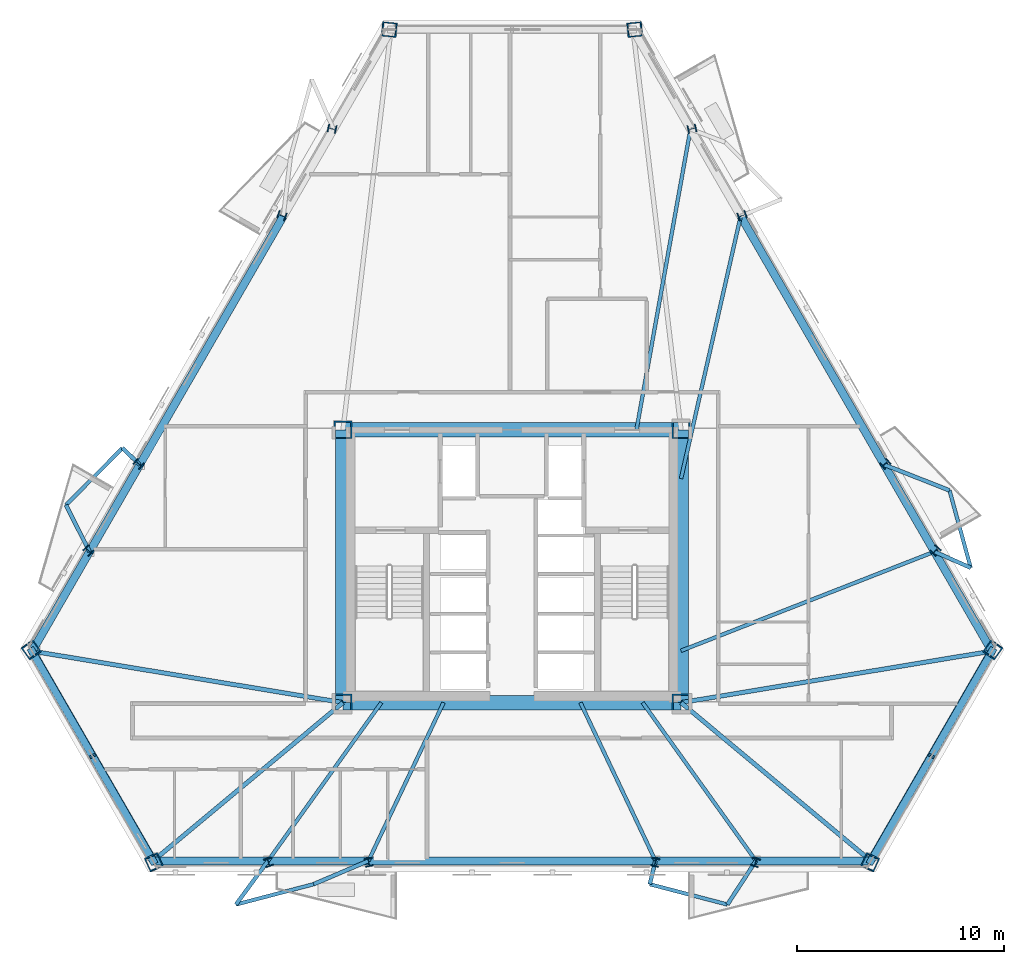
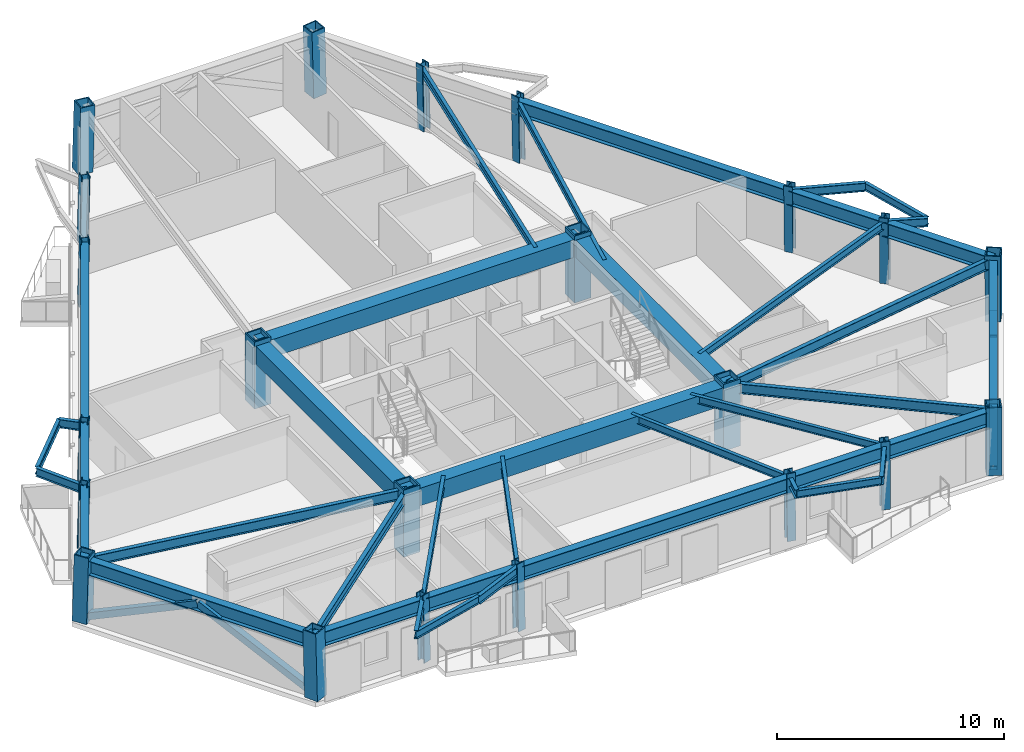
# One storey, part 1 of 10: 40 beams, 22 columns, 4 members.
"""IFC4 building model written with IfcOpenShell, lengths in metres."""

from ifc_helpers import new_model, si_unit, direction, frame, origin, origin_2d, place, context, subcontext, project, spatial, rectangle, hollow_rectangle, i_section, extrude, material, material_profile, profile_set, type_object, element, save


model = new_model("IFC4")

# Units and contexts
model_context = context("Model", 3, precision=1e-05, world=origin(), true_north=direction((0.0, 1.0)))
body_context = subcontext(model_context, "Body", "Model", "MODEL_VIEW")
ifc_project = project(units=[si_unit("LENGTHUNIT", "METRE"), si_unit("AREAUNIT", "SQUARE_METRE"), si_unit("VOLUMEUNIT", "CUBIC_METRE"), si_unit("PLANEANGLEUNIT", "RADIAN"), si_unit("MASSUNIT", "GRAM", prefix="KILO")], contexts=[model_context])

# Site, building, storey
site_placement = place(None, origin())
site = spatial("IfcSite", under=ifc_project, at=site_placement, CompositionType="ELEMENT")
building_placement = place(site_placement, origin())
building = spatial("IfcBuilding", under=site, at=building_placement, Name="Oramaril Tower", CompositionType="ELEMENT")
storey_placement = place(building_placement, frame((0.0, 0.0, 100.5)))
storey = spatial("IfcBuildingStorey", under=building, at=storey_placement, Name="L26", CompositionType="ELEMENT", Elevation=100.5)

# Columns
ifc_material_1 = material(Name="Steel ASTM A572 Gr 50", Category="steel")
ifc_material_profile_1 = material_profile(ifc_material_1, hollow_rectangle(XDim=0.85009765625, YDim=0.85009765625, WallThickness=0.070068359375, at=origin_2d()), Name="BOX850X850X70")
ifc_profile_set_1 = profile_set([ifc_material_profile_1], Name="Steel ASTM A572 Gr 50")
column_type_1 = type_object("IfcColumnType", Name="CT-CC3", PredefinedType="COLUMN", material=ifc_profile_set_1)
for number, where, z_axis, x_axis, name in (
    (1, (29.35009765625, 11.0, 0.0), (0.0, 0.0, 1.0), (1.0, 0.0, 0.0), "L26 Core Column CC-1"),
    (2, (45.64990234375, 11.0, 0.0), (0.0, 0.0, 1.0), (1.0, 0.0, 0.0), "L26 Core Column CC-2"),
    (3, (45.64990234375, 24.14990234375, 0.0), (0.0, 0.0, 1.0), (1.0, 0.0, 0.0), "L26 Core Column CC-3"),
    (4, (29.35009765625, 24.14990234375, 0.0), (0.0, 0.0, 1.0), (1.0, 0.0, 0.0), "L26 Core Column CC-4"),
):
    element("IfcColumn", number, at=place(storey_placement, frame(where, z_axis=z_axis, x_axis=x_axis)), inside=storey, type_object=column_type_1, Name=name, PredefinedType="COLUMN", context=body_context, shape_type="SweptSolid", body=[
        extrude(hollow_rectangle(XDim=0.85009765625, YDim=0.85009765625, WallThickness=0.070068359375, at=origin_2d()), origin(), (0.0, 0.0, 1.0), 3.60009765625),
    ])
ifc_material_2 = material(Name="Steel ASTM A572 Gr 50", Category="steel")
ifc_material_profile_2 = material_profile(ifc_material_2, hollow_rectangle(XDim=0.699951171875, YDim=0.699951171875, WallThickness=0.054931640625, at=origin_2d()), Name="BOX700X700X55")
ifc_profile_set_2 = profile_set([ifc_material_profile_2], Name="Steel ASTM A572 Gr 50")
column_type_2 = type_object("IfcColumnType", Name="CT-TC4", PredefinedType="COLUMN", material=ifc_profile_set_2)
for number, where, z_axis, x_axis, name in (
    (5, (14.309814453125, 13.560791015625, 0.00439453125), (0.015495232053, -0.021611771021, 0.999646352035), (0.812696104859, 0.582687773295, 0.0), "L26 Tube Column TC-01"),
    (6, (20.24169921875, 3.286376953125, 0.00439453125), (-0.010941819995, 0.024194334896, 0.999647393201), (-0.911153685681, -0.412066694929, 0.0), "L26 Tube Column TC-02"),
    (7, (54.75830078125, 3.286376953125, 0.00439453125), (0.010941819995, 0.024194334896, 0.999647393201), (-0.911153685681, 0.412066694929, 0.0), "L26 Tube Column TC-03"),
    (8, (60.690185546875, 13.560791015625, 0.00439453125), (-0.015495232053, -0.021611771021, 0.999646352035), (0.812696104859, -0.582687773295, 0.0), "L26 Tube Column TC-04"),
    (9, (43.431884765625, 43.452880859375, 0.00439453125), (-0.026437061593, -0.002582540721, 0.999647143875), (0.097223592457, -0.995262564889, 0.0), "L26 Tube Column TC-05"),
    (10, (31.568115234375, 43.452880859375, 0.00439453125), (0.026437061593, -0.002582540721, 0.999647143875), (0.097223592457, 0.995262564889, 0.0), "L26 Tube Column TC-06"),
):
    element("IfcColumn", number, at=place(storey_placement, frame(where, z_axis=z_axis, x_axis=x_axis)), inside=storey, type_object=column_type_2, Name=name, PredefinedType="COLUMN", context=body_context, shape_type="SweptSolid", body=[
        extrude(hollow_rectangle(XDim=0.699951171875, YDim=0.699951171875, WallThickness=0.054931640625, at=origin_2d()), origin(), (0.0, 0.0, 1.0), 3.59228515625),
    ])
ifc_material_3 = material(Name="Steel ASTM A572 Gr 50", Category="steel")
ifc_material_profile_3 = material_profile(ifc_material_3, i_section(OverallWidth=0.404052734375, OverallDepth=0.406005859375, WebThickness=0.027099609375, FlangeThickness=0.043701171875, at=origin_2d()), Name="W14X233")
ifc_profile_set_3 = profile_set([ifc_material_profile_3], Name="Steel ASTM A572 Gr 50")
column_type_3 = type_object("IfcColumnType", Name="CT-TF3", PredefinedType="COLUMN", material=ifc_profile_set_3)
column_1_placement = place(storey_placement, frame((25.764404296875, 3.286376953125, 0.00439453125), z_axis=(-0.00747601626, 0.024195107169, 0.999679301561), x_axis=(-0.955430171214, -0.295217187735, 0.0)))
element("IfcColumn", 11, at=column_1_placement, inside=storey, type_object=column_type_3, Name="L26 Tube Column TC-07", PredefinedType="COLUMN", context=body_context, shape_type="SweptSolid", body=[
    extrude(i_section(OverallWidth=0.404052734375, OverallDepth=0.406005859375, WebThickness=0.027099609375, FlangeThickness=0.043701171875, at=origin_2d()), origin(), (0.0, 0.0, 1.0), 3.59228515625),
])
for number, where, z_axis, x_axis, name in (
    (12, (30.5966796875, 3.286376953125, 0.00439453125), (-0.004417726321, 0.024195547233, 0.999697483836), (-0.983737000946, -0.179614901858, 0.0), "L26 Tube Column TC-08"),
    (13, (44.4033203125, 3.286376953125, 0.00439453125), (0.004417726321, 0.024195547233, 0.999697483836), (-0.983737000946, 0.179614901858, 0.0), "L26 Tube Column TC-09"),
):
    element("IfcColumn", number, at=place(storey_placement, frame(where, z_axis=z_axis, x_axis=x_axis)), inside=storey, type_object=column_type_3, Name=name, PredefinedType="COLUMN", context=body_context, shape_type="SweptSolid", body=[
        extrude(i_section(OverallWidth=0.404052734375, OverallDepth=0.406005859375, WebThickness=0.027099609375, FlangeThickness=0.043701171875, at=origin_2d()), origin(), (0.0, 0.0, 1.0), 3.592041015625),
    ])
for number, where, z_axis, x_axis, name in (
    (14, (49.235595703125, 3.286376953125, 0.00439453125), (0.00747601626, 0.024195107169, 0.999679301561), (-0.955430171214, 0.295217187735, 0.0), "L26 Tube Column TC-10"),
    (15, (57.928955078125, 18.343505859375, 0.00439453125), (-0.01726279285, -0.018554104126, 0.999678819023), (0.732124530996, -0.681170809059, 0.0), "L26 Tube Column TC-11"),
):
    element("IfcColumn", number, at=place(storey_placement, frame(where, z_axis=z_axis, x_axis=x_axis)), inside=storey, type_object=column_type_3, Name=name, PredefinedType="COLUMN", context=body_context, shape_type="SweptSolid", body=[
        extrude(i_section(OverallWidth=0.404052734375, OverallDepth=0.406005859375, WebThickness=0.027099609375, FlangeThickness=0.043701171875, at=origin_2d()), origin(), (0.0, 0.0, 1.0), 3.59228515625),
    ])
for number, where, z_axis, x_axis, name in (
    (16, (55.5126953125, 22.5283203125, 0.00439453125), (-0.018758346864, -0.015903815819, 0.999697550795), (0.646685251635, -0.762756963467, 0.0), "L26 Tube Column TC-12"),
    (17, (48.609375, 34.4853515625, 0.00439453125), (-0.023176047894, -0.00835968883, 0.999696447131), (0.339305503404, -0.940676233015, 0.0), "L26 Tube Column TC-13"),
):
    element("IfcColumn", number, at=place(storey_placement, frame(where, z_axis=z_axis, x_axis=x_axis)), inside=storey, type_object=column_type_3, Name=name, PredefinedType="COLUMN", context=body_context, shape_type="SweptSolid", body=[
        extrude(i_section(OverallWidth=0.404052734375, OverallDepth=0.406005859375, WebThickness=0.027099609375, FlangeThickness=0.043701171875, at=origin_2d()), origin(), (0.0, 0.0, 1.0), 3.592041015625),
    ])
for number, where, z_axis, x_axis, name in (
    (18, (46.193115234375, 38.670166015625, 0.00439453125), (-0.024670863801, -0.005640996406, 0.999679712527), (0.222897720207, -0.97484183657, 0.0), "L26 Tube Column TC-14"),
    (19, (28.806884765625, 38.670166015625, 0.00439453125), (0.024670863801, -0.005640996406, 0.999679712527), (0.222897720207, 0.97484183657, 0.0), "L26 Tube Column TC-15"),
):
    element("IfcColumn", number, at=place(storey_placement, frame(where, z_axis=z_axis, x_axis=x_axis)), inside=storey, type_object=column_type_3, Name=name, PredefinedType="COLUMN", context=body_context, shape_type="SweptSolid", body=[
        extrude(i_section(OverallWidth=0.404052734375, OverallDepth=0.406005859375, WebThickness=0.027099609375, FlangeThickness=0.043701171875, at=origin_2d()), origin(), (0.0, 0.0, 1.0), 3.59228515625),
    ])
for number, where, z_axis, x_axis, name in (
    (20, (26.390625, 34.4853515625, 0.00439453125), (0.023176047894, -0.00835968883, 0.999696447131), (0.339305503404, 0.940676233015, 0.0), "L26 Tube Column TC-16"),
    (21, (19.4873046875, 22.5283203125, 0.00439453125), (0.018758346864, -0.015903815819, 0.999697550795), (0.646685251635, 0.762756963467, 0.0), "L26 Tube Column TC-17"),
):
    element("IfcColumn", number, at=place(storey_placement, frame(where, z_axis=z_axis, x_axis=x_axis)), inside=storey, type_object=column_type_3, Name=name, PredefinedType="COLUMN", context=body_context, shape_type="SweptSolid", body=[
        extrude(i_section(OverallWidth=0.404052734375, OverallDepth=0.406005859375, WebThickness=0.027099609375, FlangeThickness=0.043701171875, at=origin_2d()), origin(), (0.0, 0.0, 1.0), 3.592041015625),
    ])
column_2_placement = place(storey_placement, frame((17.071044921875, 18.343505859375, 0.00439453125), z_axis=(0.01726279285, -0.018554104126, 0.999678819023), x_axis=(0.732124530996, 0.681170809059, 0.0)))
element("IfcColumn", 22, at=column_2_placement, inside=storey, type_object=column_type_3, Name="L26 Tube Column TC-18", PredefinedType="COLUMN", context=body_context, shape_type="SweptSolid", body=[
    extrude(i_section(OverallWidth=0.404052734375, OverallDepth=0.406005859375, WebThickness=0.027099609375, FlangeThickness=0.043701171875, at=origin_2d()), origin(), (0.0, 0.0, 1.0), 3.59228515625),
])

# Beams
ifc_material_4 = material(Name="Steel ASTM A572 Gr 50", Category="steel")
ifc_material_profile_4 = material_profile(ifc_material_4, i_section(OverallWidth=0.19091796875, OverallDepth=0.45703125, WebThickness=0.009033203125, FlangeThickness=0.014404296875, at=origin_2d()), Name="W18X50")
ifc_profile_set_4 = profile_set([ifc_material_profile_4], Name="Steel ASTM A572 Gr 50")
beam_type_1 = type_object("IfcBeamType", Name="BT-BB1", PredefinedType="BEAM", material=ifc_profile_set_4)
beam_1_placement = place(storey_placement, frame((25.737548828125, 3.373291015625, 3.131591796875), z_axis=(-0.591873492735, -0.806030873229, 0.0), x_axis=(0.806030873229, -0.591873492735, 0.0)))
element("IfcBeam", 23, at=beam_1_placement, inside=storey, type_object=beam_type_1, Name="L26 Balcony Column-Framed Cantilever 01.1", PredefinedType="BEAM", context=body_context, shape_type="SweptSolid", body=[
    extrude(i_section(OverallWidth=0.19091796875, OverallDepth=0.45703125, WebThickness=0.009033203125, FlangeThickness=0.014404296875, at=origin_2d()), origin(), (0.0, 0.0, 1.0), 2.615234375),
])
beam_2_placement = place(storey_placement, frame((30.580810546875, 3.373291015625, 3.131591796875), z_axis=(-0.919972423797, -0.391983085672, 0.0), x_axis=(0.391983085672, -0.919972423797, 0.0)))
element("IfcBeam", 24, at=beam_2_placement, inside=storey, type_object=beam_type_1, Name="L26 Balcony Column-Framed Cantilever 01.2", PredefinedType="BEAM", context=body_context, shape_type="SweptSolid", body=[
    extrude(i_section(OverallWidth=0.19091796875, OverallDepth=0.45703125, WebThickness=0.009033203125, FlangeThickness=0.014404296875, at=origin_2d()), origin(), (0.0, 0.0, 1.0), 2.87744140625),
])
beam_3_placement = place(storey_placement, frame((44.419189453125, 3.373291015625, 3.131591796875), z_axis=(-0.239171475963, -0.9709773453, 0.0), x_axis=(0.9709773453, -0.239171475963, 0.0)))
element("IfcBeam", 25, at=beam_3_placement, inside=storey, type_object=beam_type_1, Name="L26 Balcony Column-Framed Cantilever 02.1", PredefinedType="BEAM", context=body_context, shape_type="SweptSolid", body=[
    extrude(i_section(OverallWidth=0.19091796875, OverallDepth=0.45703125, WebThickness=0.009033203125, FlangeThickness=0.014404296875, at=origin_2d()), origin(), (0.0, 0.0, 1.0), 1.16162109375),
])
beam_4_placement = place(storey_placement, frame((49.262451171875, 3.373291015625, 3.131591796875), z_axis=(-0.546956738563, -0.837160872318, 0.0), x_axis=(0.837160872318, -0.546956738563, 0.0)))
element("IfcBeam", 26, at=beam_4_placement, inside=storey, type_object=beam_type_1, Name="L26 Balcony Column-Framed Cantilever 02.2", PredefinedType="BEAM", context=body_context, shape_type="SweptSolid", body=[
    extrude(i_section(OverallWidth=0.19091796875, OverallDepth=0.45703125, WebThickness=0.009033203125, FlangeThickness=0.014404296875, at=origin_2d()), origin(), (0.0, 0.0, 1.0), 2.517822265625),
])
beam_5_placement = place(storey_placement, frame((57.866943359375, 18.27685546875, 3.131591796875), z_axis=(0.914121383742, -0.405440619309, 0.0), x_axis=(0.405440619309, 0.914121383742, 0.0)))
element("IfcBeam", 27, at=beam_5_placement, inside=storey, type_object=beam_type_1, Name="L26 Balcony Column-Framed Cantilever 03.1", PredefinedType="BEAM", context=body_context, shape_type="SweptSolid", body=[
    extrude(i_section(OverallWidth=0.19091796875, OverallDepth=0.45703125, WebThickness=0.009033203125, FlangeThickness=0.014404296875, at=origin_2d()), origin(), (0.0, 0.0, 1.0), 1.91552734375),
])
beam_6_placement = place(storey_placement, frame((55.4453125, 22.47119140625, 3.131591796875), z_axis=(0.930615507044, -0.365998330664, 0.0), x_axis=(0.365998330664, 0.930615507044, 0.0)))
element("IfcBeam", 28, at=beam_6_placement, inside=storey, type_object=beam_type_1, Name="L26 Balcony Column-Framed Cantilever 03.2", PredefinedType="BEAM", context=body_context, shape_type="SweptSolid", body=[
    extrude(i_section(OverallWidth=0.19091796875, OverallDepth=0.45703125, WebThickness=0.009033203125, FlangeThickness=0.014404296875, at=origin_2d()), origin(), (0.0, 0.0, 1.0), 3.384033203125),
])
beam_7_placement = place(storey_placement, frame((19.5546875, 22.47119140625, 3.131591796875), z_axis=(-0.721252920059, 0.692671802015, 0.0), x_axis=(-0.692671802015, -0.721252920059, 0.0)))
element("IfcBeam", 29, at=beam_7_placement, inside=storey, type_object=beam_type_1, Name="L26 Balcony Column-Framed Cantilever 06.1", PredefinedType="BEAM", context=body_context, shape_type="SweptSolid", body=[
    extrude(i_section(OverallWidth=0.19091796875, OverallDepth=0.45703125, WebThickness=0.009033203125, FlangeThickness=0.014404296875, at=origin_2d()), origin(), (0.0, 0.0, 1.0), 1.16162109375),
])
beam_8_placement = place(storey_placement, frame((17.133056640625, 18.27685546875, 3.131591796875), z_axis=(-0.45155222069, 0.89224469289, 0.0), x_axis=(-0.89224469289, -0.45155222069, 0.0)))
element("IfcBeam", 30, at=beam_8_placement, inside=storey, type_object=beam_type_1, Name="L26 Balcony Column-Framed Cantilever 06.2", PredefinedType="BEAM", context=body_context, shape_type="SweptSolid", body=[
    extrude(i_section(OverallWidth=0.19091796875, OverallDepth=0.45703125, WebThickness=0.009033203125, FlangeThickness=0.014404296875, at=origin_2d()), origin(), (0.0, 0.0, 1.0), 2.517822265625),
])
ifc_material_5 = material(Name="Concrete C50/60", Category="concrete")
ifc_material_profile_5 = material_profile(ifc_material_5, rectangle(XDim=0.699951171875, YDim=0.949951171875, at=origin_2d()), Name="CB700X950")
ifc_profile_set_5 = profile_set([ifc_material_profile_5], Name="Concrete C50/60")
beam_type_2 = type_object("IfcBeamType", Name="BT-CB1", PredefinedType="BEAM", material=ifc_profile_set_5)
beam_9_placement = place(storey_placement, frame((29.35009765625, 11.0, 2.885009765625), z_axis=(1.0, 0.0, 0.0), x_axis=(0.0, 1.0, 0.0)))
element("IfcBeam", 31, at=beam_9_placement, inside=storey, type_object=beam_type_2, Name="L26 Core Header Beam CB-1", PredefinedType="BEAM", context=body_context, shape_type="SweptSolid", body=[
    extrude(rectangle(XDim=0.699951171875, YDim=0.949951171875, at=origin_2d()), origin(), (0.0, 0.0, 1.0), 16.2998046875),
])
beam_10_placement = place(storey_placement, frame((45.64990234375, 11.0, 2.885009765625), z_axis=(0.0, 1.0, 0.0), x_axis=(-1.0, 0.0, 0.0)))
element("IfcBeam", 32, at=beam_10_placement, inside=storey, type_object=beam_type_2, Name="L26 Core Header Beam CB-2", PredefinedType="BEAM", context=body_context, shape_type="SweptSolid", body=[
    extrude(rectangle(XDim=0.699951171875, YDim=0.949951171875, at=origin_2d()), origin(), (0.0, 0.0, 1.0), 13.14990234375),
])
beam_11_placement = place(storey_placement, frame((45.64990234375, 24.14990234375, 2.885009765625), z_axis=(-1.0, 0.0, 0.0), x_axis=(0.0, -1.0, 0.0)))
element("IfcBeam", 33, at=beam_11_placement, inside=storey, type_object=beam_type_2, Name="L26 Core Header Beam CB-3", PredefinedType="BEAM", context=body_context, shape_type="SweptSolid", body=[
    extrude(rectangle(XDim=0.699951171875, YDim=0.949951171875, at=origin_2d()), origin(), (0.0, 0.0, 1.0), 16.2998046875),
])
beam_12_placement = place(storey_placement, frame((29.35009765625, 24.14990234375, 2.885009765625), z_axis=(0.0, -1.0, 0.0), x_axis=(1.0, 0.0, 0.0)))
element("IfcBeam", 34, at=beam_12_placement, inside=storey, type_object=beam_type_2, Name="L26 Core Header Beam CB-4", PredefinedType="BEAM", context=body_context, shape_type="SweptSolid", body=[
    extrude(rectangle(XDim=0.699951171875, YDim=0.949951171875, at=origin_2d()), origin(), (0.0, 0.0, 1.0), 13.14990234375),
])
ifc_material_6 = material(Name="Steel ASTM A572 Gr 50", Category="steel")
ifc_material_profile_6 = material_profile(ifc_material_6, i_section(OverallWidth=0.2099609375, OverallDepth=0.535888671875, WebThickness=0.010986328125, FlangeThickness=0.017333984375, at=origin_2d()), Name="W21X68")
ifc_profile_set_6 = profile_set([ifc_material_profile_6], Name="Steel ASTM A572 Gr 50")
beam_type_3 = type_object("IfcBeamType", Name="BT-FB2", PredefinedType="BEAM", material=ifc_profile_set_6)
beam_13_placement = place(storey_placement, frame((29.35009765625, 11.0, 3.092041015625), z_axis=(-0.986545981017, 0.163484027778, 0.0), x_axis=(-0.163484027778, -0.986545981017, 0.0)))
element("IfcBeam", 35, at=beam_13_placement, inside=storey, type_object=beam_type_3, Name="L26 Radial Primary Beam RB-01", PredefinedType="BEAM", context=body_context, shape_type="SweptSolid", body=[
    extrude(i_section(OverallWidth=0.2099609375, OverallDepth=0.535888671875, WebThickness=0.010986328125, FlangeThickness=0.017333984375, at=origin_2d()), origin(), (0.0, 0.0, 1.0), 15.18896484375),
])
for number, where, z_axis, x_axis, name in (
    (36, (29.35009765625, 11.0, 3.092041015625), (-0.768071717788, -0.64036383122, 0.0), (0.64036383122, -0.768071717788, 0.0), "L26 Radial Primary Beam RB-02"),
    (37, (45.64990234375, 11.0, 3.092041015625), (0.768071717788, -0.64036383122, 0.0), (0.64036383122, 0.768071717788, 0.0), "L26 Radial Primary Beam RB-03"),
):
    element("IfcBeam", number, at=place(storey_placement, frame(where, z_axis=z_axis, x_axis=x_axis)), inside=storey, type_object=beam_type_3, Name=name, PredefinedType="BEAM", context=body_context, shape_type="SweptSolid", body=[
        extrude(i_section(OverallWidth=0.2099609375, OverallDepth=0.535888671875, WebThickness=0.010986328125, FlangeThickness=0.017333984375, at=origin_2d()), origin(), (0.0, 0.0, 1.0), 11.909912109375),
    ])
beam_14_placement = place(storey_placement, frame((45.64990234375, 11.0, 3.092041015625), z_axis=(0.986545981017, 0.163484027778, 0.0), x_axis=(-0.163484027778, 0.986545981017, 0.0)))
element("IfcBeam", 38, at=beam_14_placement, inside=storey, type_object=beam_type_3, Name="L26 Radial Primary Beam RB-04", PredefinedType="BEAM", context=body_context, shape_type="SweptSolid", body=[
    extrude(i_section(OverallWidth=0.2099609375, OverallDepth=0.535888671875, WebThickness=0.010986328125, FlangeThickness=0.017333984375, at=origin_2d()), origin(), (0.0, 0.0, 1.0), 15.18896484375),
])
ifc_material_7 = material(Name="Steel ASTM A572 Gr 50", Category="steel")
ifc_material_profile_7 = material_profile(ifc_material_7, i_section(OverallWidth=0.177978515625, OverallDepth=0.404052734375, WebThickness=0.007568359375, FlangeThickness=0.010986328125, at=origin_2d()), Name="W16X36")
ifc_profile_set_7 = profile_set([ifc_material_profile_7], Name="Steel ASTM A572 Gr 50")
beam_type_4 = type_object("IfcBeamType", Name="BT-SB1", PredefinedType="BEAM", material=ifc_profile_set_7)
beam_15_placement = place(storey_placement, frame((31.199951171875, 11.0, 3.157958984375), z_axis=(-0.582279061803, -0.812988987739, 0.0), x_axis=(0.812988987739, -0.582279061803, 0.0)))
element("IfcBeam", 39, at=beam_15_placement, inside=storey, type_object=beam_type_4, Name="L26 Secondary Floor Beam SB-01", PredefinedType="BEAM", context=body_context, shape_type="SweptSolid", body=[
    extrude(i_section(OverallWidth=0.177978515625, OverallDepth=0.404052734375, WebThickness=0.007568359375, FlangeThickness=0.010986328125, at=origin_2d()), origin(), (0.0, 0.0, 1.0), 9.381103515625),
])
for number, where, z_axis, x_axis, name in (
    (40, (34.199951171875, 11.0, 3.157958984375), (-0.428714046804, -0.903440239348, 0.0), (0.903440239348, -0.428714046804, 0.0), "L26 Secondary Floor Beam SB-02"),
    (41, (40.800048828125, 11.0, 3.157958984375), (0.428714046804, -0.903440239348, 0.0), (0.903440239348, 0.428714046804, 0.0), "L26 Secondary Floor Beam SB-03"),
):
    element("IfcBeam", number, at=place(storey_placement, frame(where, z_axis=z_axis, x_axis=x_axis)), inside=storey, type_object=beam_type_4, Name=name, PredefinedType="BEAM", context=body_context, shape_type="SweptSolid", body=[
        extrude(i_section(OverallWidth=0.177978515625, OverallDepth=0.404052734375, WebThickness=0.007568359375, FlangeThickness=0.010986328125, at=origin_2d()), origin(), (0.0, 0.0, 1.0), 8.44189453125),
    ])
beam_16_placement = place(storey_placement, frame((43.800048828125, 11.0, 3.157958984375), z_axis=(0.582279061803, -0.812988987739, 0.0), x_axis=(0.812988987739, 0.582279061803, 0.0)))
element("IfcBeam", 42, at=beam_16_placement, inside=storey, type_object=beam_type_4, Name="L26 Secondary Floor Beam SB-04", PredefinedType="BEAM", context=body_context, shape_type="SweptSolid", body=[
    extrude(i_section(OverallWidth=0.177978515625, OverallDepth=0.404052734375, WebThickness=0.007568359375, FlangeThickness=0.010986328125, at=origin_2d()), origin(), (0.0, 0.0, 1.0), 9.381103515625),
])
beam_17_placement = place(storey_placement, frame((45.64990234375, 13.5, 3.157958984375), z_axis=(0.931339130402, 0.36415302303, 0.0), x_axis=(-0.36415302303, 0.931339130402, 0.0)))
element("IfcBeam", 43, at=beam_17_placement, inside=storey, type_object=beam_type_4, Name="L26 Secondary Floor Beam SB-05", PredefinedType="BEAM", context=body_context, shape_type="SweptSolid", body=[
    extrude(i_section(OverallWidth=0.177978515625, OverallDepth=0.404052734375, WebThickness=0.007568359375, FlangeThickness=0.010986328125, at=origin_2d()), origin(), (0.0, 0.0, 1.0), 13.11767578125),
])
beam_18_placement = place(storey_placement, frame((45.64990234375, 21.800048828125, 3.157958984375), z_axis=(0.221622729763, 0.975132486205, 0.0), x_axis=(-0.975132486205, 0.221622729763, 0.0)))
element("IfcBeam", 44, at=beam_18_placement, inside=storey, type_object=beam_type_4, Name="L26 Secondary Floor Beam SB-06", PredefinedType="BEAM", context=body_context, shape_type="SweptSolid", body=[
    extrude(i_section(OverallWidth=0.177978515625, OverallDepth=0.404052734375, WebThickness=0.007568359375, FlangeThickness=0.010986328125, at=origin_2d()), origin(), (0.0, 0.0, 1.0), 12.97802734375),
])
beam_19_placement = place(storey_placement, frame((43.5, 24.14990234375, 3.157958984375), z_axis=(0.176790853504, 0.984248441257, 0.0), x_axis=(-0.984248441257, 0.176790853504, 0.0)))
element("IfcBeam", 45, at=beam_19_placement, inside=storey, type_object=beam_type_4, Name="L26 Secondary Floor Beam SB-07", PredefinedType="BEAM", context=body_context, shape_type="SweptSolid", body=[
    extrude(i_section(OverallWidth=0.177978515625, OverallDepth=0.404052734375, WebThickness=0.007568359375, FlangeThickness=0.010986328125, at=origin_2d()), origin(), (0.0, 0.0, 1.0), 14.73193359375),
])
for number, where, z_axis, x_axis, name in (
    (46, (24.189697265625, 1.265380859375, 3.157958984375), (0.967407922874, 0.253223045479, 0.0), (-0.253223045479, 0.967407922874, 0.0), "L26 Balcony Edge Tie Beam 01"),
    (47, (44.141357421875, 2.245361328125, 3.157958984375), (0.967407922874, -0.253223045479, 0.0), (0.253223045479, 0.967407922874, 0.0), "L26 Balcony Edge Tie Beam 02"),
    (48, (59.617919921875, 17.500244140625, 3.157958984375), (-0.264440915482, 0.964401888332, 0.0), (-0.964401888332, -0.264440915482, 0.0), "L26 Balcony Edge Tie Beam 03"),
    (49, (18.716796875, 23.27587890625, 3.157958984375), (-0.702994511648, -0.71119527318, 0.0), (0.71119527318, -0.702994511648, 0.0), "L26 Balcony Edge Tie Beam 06"),
):
    element("IfcBeam", number, at=place(storey_placement, frame(where, z_axis=z_axis, x_axis=x_axis)), inside=storey, type_object=beam_type_4, Name=name, PredefinedType="BEAM", context=body_context, shape_type="SweptSolid", body=[
        extrude(i_section(OverallWidth=0.177978515625, OverallDepth=0.404052734375, WebThickness=0.007568359375, FlangeThickness=0.010986328125, at=origin_2d()), origin(), (0.0, 0.0, 1.0), 3.8701171875),
    ])
ifc_material_8 = material(Name="Steel ASTM A572 Gr 50", Category="steel")
ifc_material_profile_8 = material_profile(ifc_material_8, i_section(OverallWidth=0.381103515625, OverallDepth=0.77197265625, WebThickness=0.0166015625, FlangeThickness=0.027099609375, at=origin_2d()), Name="W30X173")
ifc_profile_set_8 = profile_set([ifc_material_profile_8], Name="Steel ASTM A572 Gr 50")
beam_type_5 = type_object("IfcBeamType", Name="BT-SP2", PredefinedType="SPANDREL", material=ifc_profile_set_8)
beam_20_placement = place(storey_placement, frame((14.365478515625, 13.483154296875, 2.97412109375), z_axis=(0.499998829152, -0.866026079773, 0.0), x_axis=(0.866026079773, 0.499998829152, 0.0)))
element("IfcBeam", 50, at=beam_20_placement, inside=storey, type_object=beam_type_5, Name="L26 Perimeter Spandrel 01", PredefinedType="SPANDREL", context=body_context, shape_type="SweptSolid", body=[
    extrude(i_section(OverallWidth=0.381103515625, OverallDepth=0.77197265625, WebThickness=0.0166015625, FlangeThickness=0.027099609375, at=origin_2d()), origin(), (0.0, 0.0, 1.0), 11.673828125),
])
beam_21_placement = place(storey_placement, frame((20.202392578125, 3.373291015625, 2.97412109375), z_axis=(1.0, 0.0, 0.0), x_axis=(0.0, 1.0, 0.0)))
element("IfcBeam", 51, at=beam_21_placement, inside=storey, type_object=beam_type_5, Name="L26 Perimeter Spandrel 02", PredefinedType="SPANDREL", context=body_context, shape_type="SweptSolid", body=[
    extrude(i_section(OverallWidth=0.381103515625, OverallDepth=0.77197265625, WebThickness=0.0166015625, FlangeThickness=0.027099609375, at=origin_2d()), origin(), (0.0, 0.0, 1.0), 5.53515625),
])
beam_22_placement = place(storey_placement, frame((25.737548828125, 3.373291015625, 2.97412109375), z_axis=(1.0, 0.0, 0.0), x_axis=(0.0, 1.0, 0.0)))
element("IfcBeam", 52, at=beam_22_placement, inside=storey, type_object=beam_type_5, Name="L26 Perimeter Spandrel 03", PredefinedType="SPANDREL", context=body_context, shape_type="SweptSolid", body=[
    extrude(i_section(OverallWidth=0.381103515625, OverallDepth=0.77197265625, WebThickness=0.0166015625, FlangeThickness=0.027099609375, at=origin_2d()), origin(), (0.0, 0.0, 1.0), 4.84326171875),
])
beam_23_placement = place(storey_placement, frame((30.580810546875, 3.373291015625, 2.97412109375), z_axis=(1.0, 0.0, 0.0), x_axis=(0.0, 1.0, 0.0)))
element("IfcBeam", 53, at=beam_23_placement, inside=storey, type_object=beam_type_5, Name="L26 Perimeter Spandrel 04", PredefinedType="SPANDREL", context=body_context, shape_type="SweptSolid", body=[
    extrude(i_section(OverallWidth=0.381103515625, OverallDepth=0.77197265625, WebThickness=0.0166015625, FlangeThickness=0.027099609375, at=origin_2d()), origin(), (0.0, 0.0, 1.0), 13.83837890625),
])
beam_24_placement = place(storey_placement, frame((44.419189453125, 3.373291015625, 2.97412109375), z_axis=(1.0, 0.0, 0.0), x_axis=(0.0, 1.0, 0.0)))
element("IfcBeam", 54, at=beam_24_placement, inside=storey, type_object=beam_type_5, Name="L26 Perimeter Spandrel 05", PredefinedType="SPANDREL", context=body_context, shape_type="SweptSolid", body=[
    extrude(i_section(OverallWidth=0.381103515625, OverallDepth=0.77197265625, WebThickness=0.0166015625, FlangeThickness=0.027099609375, at=origin_2d()), origin(), (0.0, 0.0, 1.0), 4.84326171875),
])
beam_25_placement = place(storey_placement, frame((49.262451171875, 3.373291015625, 2.97412109375), z_axis=(1.0, 0.0, 0.0), x_axis=(0.0, 1.0, 0.0)))
element("IfcBeam", 55, at=beam_25_placement, inside=storey, type_object=beam_type_5, Name="L26 Perimeter Spandrel 06", PredefinedType="SPANDREL", context=body_context, shape_type="SweptSolid", body=[
    extrude(i_section(OverallWidth=0.381103515625, OverallDepth=0.77197265625, WebThickness=0.0166015625, FlangeThickness=0.027099609375, at=origin_2d()), origin(), (0.0, 0.0, 1.0), 5.53515625),
])
beam_26_placement = place(storey_placement, frame((54.797607421875, 3.373291015625, 2.97412109375), z_axis=(0.499998829152, 0.866026079773, 0.0), x_axis=(-0.866026079773, 0.499998829152, 0.0)))
element("IfcBeam", 56, at=beam_26_placement, inside=storey, type_object=beam_type_5, Name="L26 Perimeter Spandrel 07", PredefinedType="SPANDREL", context=body_context, shape_type="SweptSolid", body=[
    extrude(i_section(OverallWidth=0.381103515625, OverallDepth=0.77197265625, WebThickness=0.0166015625, FlangeThickness=0.027099609375, at=origin_2d()), origin(), (0.0, 0.0, 1.0), 11.673828125),
])
beam_27_placement = place(storey_placement, frame((60.634521484375, 13.483154296875, 2.97412109375), z_axis=(-0.499990984537, 0.866030608802, 0.0), x_axis=(-0.866030608802, -0.499990984537, 0.0)))
element("IfcBeam", 57, at=beam_27_placement, inside=storey, type_object=beam_type_5, Name="L26 Perimeter Spandrel 08", PredefinedType="SPANDREL", context=body_context, shape_type="SweptSolid", body=[
    extrude(i_section(OverallWidth=0.381103515625, OverallDepth=0.77197265625, WebThickness=0.0166015625, FlangeThickness=0.027099609375, at=origin_2d()), origin(), (0.0, 0.0, 1.0), 5.53515625),
])
beam_28_placement = place(storey_placement, frame((57.866943359375, 18.27685546875, 2.97412109375), z_axis=(-0.500004626585, 0.866022732608, 0.0), x_axis=(-0.866022732608, -0.500004626585, 0.0)))
element("IfcBeam", 58, at=beam_28_placement, inside=storey, type_object=beam_type_5, Name="L26 Perimeter Spandrel 09", PredefinedType="SPANDREL", context=body_context, shape_type="SweptSolid", body=[
    extrude(i_section(OverallWidth=0.381103515625, OverallDepth=0.77197265625, WebThickness=0.0166015625, FlangeThickness=0.027099609375, at=origin_2d()), origin(), (0.0, 0.0, 1.0), 4.84326171875),
])
for number, where, z_axis, x_axis, name in (
    (59, (55.4453125, 22.47119140625, 2.97412109375), (-0.500008036208, 0.866020764028, 0.0), (-0.866020764028, -0.500008036208, 0.0), "L26 Perimeter Spandrel 10"),
    (60, (26.473876953125, 34.455322265625, 2.97412109375), (-0.500008036208, -0.866020764028, 0.0), (0.866020764028, -0.500008036208, 0.0), "L26 Perimeter Spandrel 16"),
):
    element("IfcBeam", number, at=place(storey_placement, frame(where, z_axis=z_axis, x_axis=x_axis)), inside=storey, type_object=beam_type_5, Name=name, PredefinedType="SPANDREL", context=body_context, shape_type="SweptSolid", body=[
        extrude(i_section(OverallWidth=0.381103515625, OverallDepth=0.77197265625, WebThickness=0.0166015625, FlangeThickness=0.027099609375, at=origin_2d()), origin(), (0.0, 0.0, 1.0), 13.838134765625),
    ])
beam_29_placement = place(storey_placement, frame((19.5546875, 22.47119140625, 2.97412109375), z_axis=(-0.500004626585, -0.866022732608, 0.0), x_axis=(0.866022732608, -0.500004626585, 0.0)))
element("IfcBeam", 61, at=beam_29_placement, inside=storey, type_object=beam_type_5, Name="L26 Perimeter Spandrel 17", PredefinedType="SPANDREL", context=body_context, shape_type="SweptSolid", body=[
    extrude(i_section(OverallWidth=0.381103515625, OverallDepth=0.77197265625, WebThickness=0.0166015625, FlangeThickness=0.027099609375, at=origin_2d()), origin(), (0.0, 0.0, 1.0), 4.84326171875),
])
beam_30_placement = place(storey_placement, frame((17.133056640625, 18.27685546875, 2.97412109375), z_axis=(-0.499990984537, -0.866030608802, 0.0), x_axis=(0.866030608802, -0.499990984537, 0.0)))
element("IfcBeam", 62, at=beam_30_placement, inside=storey, type_object=beam_type_5, Name="L26 Perimeter Spandrel 18", PredefinedType="SPANDREL", context=body_context, shape_type="SweptSolid", body=[
    extrude(i_section(OverallWidth=0.381103515625, OverallDepth=0.77197265625, WebThickness=0.0166015625, FlangeThickness=0.027099609375, at=origin_2d()), origin(), (0.0, 0.0, 1.0), 5.53515625),
])

# Members
ifc_material_9 = material(Name="Steel ASTM A572 Gr 50", Category="steel")
ifc_material_profile_9 = material_profile(ifc_material_9, hollow_rectangle(XDim=0.35009765625, YDim=0.35009765625, WallThickness=0.01611328125, at=origin_2d()), Name="HSS350X350X16")
ifc_profile_set_9 = profile_set([ifc_material_profile_9], Name="Steel ASTM A572 Gr 50")
member_type = type_object("IfcMemberType", Name="MT-KB1", PredefinedType="BRACE", material=ifc_profile_set_9)
for number, where, z_axis, x_axis, name in (
    (63, (14.309814453125, 13.560791015625, 0.179931640625), (0.452342001089, -0.783453814052, 0.426130068521), (0.866018352934, 0.500012212232, 0.0), "L26 Perimeter Chevron Brace KB-1A"),
    (64, (20.24169921875, 3.286376953125, 0.179931640625), (-0.45231238582, 0.78346700876, 0.426137245284), (-0.866036174396, -0.49998134429, 0.0), "L26 Perimeter Chevron Brace KB-1B"),
    (65, (54.75830078125, 3.286376953125, 0.179931640625), (0.45231238582, 0.78346700876, 0.426137245284), (-0.866036174396, 0.49998134429, 0.0), "L26 Perimeter Chevron Brace KB-2A"),
    (66, (60.690185546875, 13.560791015625, 0.179931640625), (-0.452342001089, -0.783453814052, 0.426130068521), (0.866018352934, -0.500012212232, 0.0), "L26 Perimeter Chevron Brace KB-2B"),
):
    element("IfcMember", number, at=place(storey_placement, frame(where, z_axis=z_axis, x_axis=x_axis)), inside=storey, type_object=member_type, Name=name, PredefinedType="BRACE", context=body_context, shape_type="SweptSolid", body=[
        extrude(hollow_rectangle(XDim=0.35009765625, YDim=0.35009765625, WallThickness=0.01611328125, at=origin_2d()), origin(), (0.0, 0.0, 1.0), 6.55712890625),
    ])

save(model, "model.ifc")
